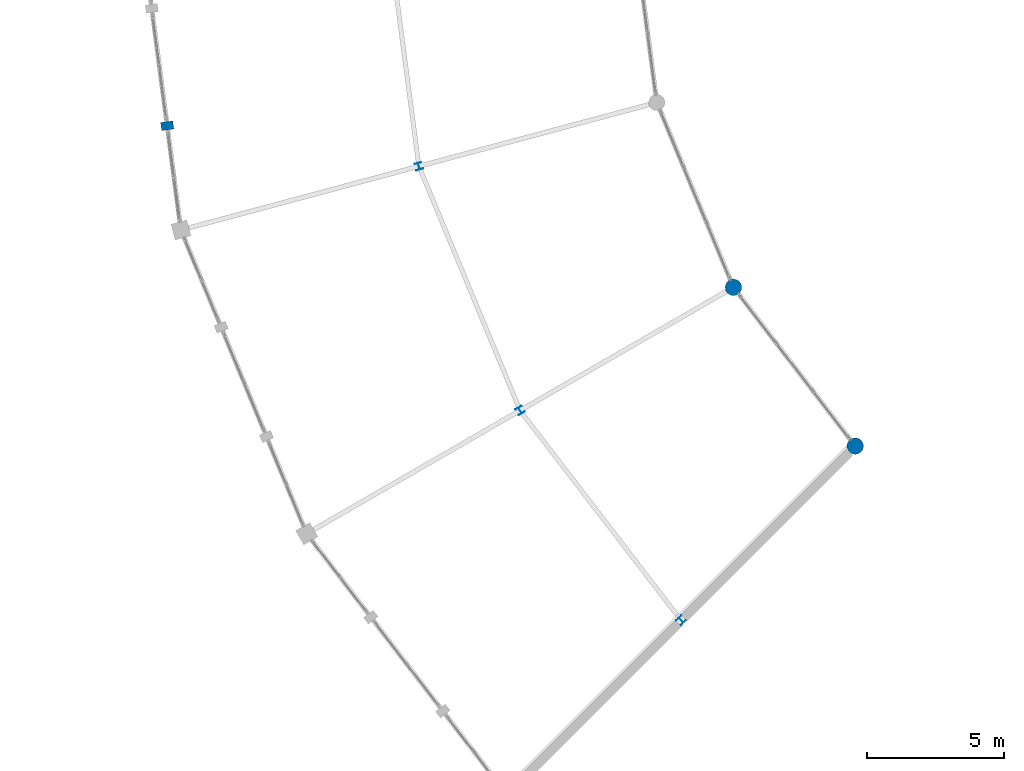
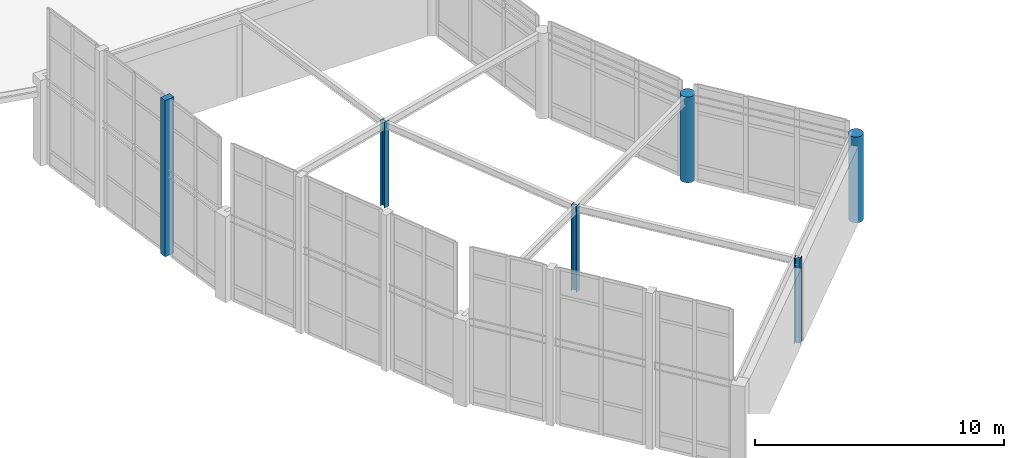
# One storey, part 2 of 93: 6 columns.
"""IFC4 building model written with IfcOpenShell, lengths in metres."""

import ifcopenshell
import ifcopenshell.guid

model = None  # the IFC model being written
_history = None  # IfcOwnerHistory: only IFC2X3 demands one
_inside = {}  # id of a spatial element -> (the spatial element, [elements in it])
_under = {}  # id of a project, library or spatial element -> (it, [spatial elements below it])
_declared = {}  # id of a project -> (the project, [libraries it declares])
_typed = {}  # id of a type object -> (the type object, [elements of that type])
_made_of = {}  # id of a material, layer set ... -> (it, [elements and type objects made of it])


def new_model(schema):
    """Start an empty IFC model of exactly this schema.

    Asked for "IFC4X3", IfcOpenShell would pick the latest addendum, in which some entities
    have other attributes; the version numbers below select the first issue.
    IFC2X3 requires an IfcOwnerHistory on every rooted entity: one is made here for all.
    """
    global model, _history
    if schema == "IFC4X3":
        model = ifcopenshell.file(schema_version=(4, 3, 0, 0))
    else:
        model = ifcopenshell.file(schema=schema)
    _inside.clear()
    _under.clear()
    _declared.clear()
    _typed.clear()
    _made_of.clear()
    _history = None
    if model.schema == "IFC2X3":
        org = make("IfcOrganization", Name="unknown")
        user = make(
            "IfcPersonAndOrganization",
            ThePerson=make("IfcPerson", FamilyName="unknown"),
            TheOrganization=org,
        )
        app = make(
            "IfcApplication",
            ApplicationDeveloper=org,
            Version="unknown",
            ApplicationFullName="unknown",
            ApplicationIdentifier="unknown",
        )
        _history = make(
            "IfcOwnerHistory",
            OwningUser=user,
            OwningApplication=app,
            ChangeAction="ADDED",
            CreationDate=0,
        )
    return model


def make(cls, **values):
    """One entity of the class cls with the attributes given. An attribute that is None is left unset."""
    return model.create_entity(
        cls, **{name: value for name, value in values.items() if value is not None}
    )


def rooted(cls, **values):
    """An entity with a GlobalId (a new one), such as an element, a storey or a relation."""
    return make(cls, GlobalId=ifcopenshell.guid.new(), OwnerHistory=_history, **values)


def si_unit(unit_type, name, prefix=None):
    """IfcSIUnit, for example si_unit("LENGTHUNIT", "METRE", prefix="MILLI")."""
    return make("IfcSIUnit", UnitType=unit_type, Prefix=prefix, Name=name)


def assignment(units):
    """IfcUnitAssignment: the units of a project."""
    return None if units is None else make("IfcUnitAssignment", Units=units)


def point(xyz):
    """IfcCartesianPoint."""
    return None if xyz is None else make("IfcCartesianPoint", Coordinates=xyz)


def direction(xyz):
    """IfcDirection."""
    return None if xyz is None else make("IfcDirection", DirectionRatios=xyz)


def frame(location, z_axis=None, x_axis=None):
    """IfcAxis2Placement3D, a coordinate frame: its origin and axes. An axis left out is left unset."""
    return make(
        "IfcAxis2Placement3D",
        Location=point(location),
        Axis=direction(z_axis),
        RefDirection=direction(x_axis),
    )


def frame_2d(location, x_axis=None):
    """IfcAxis2Placement2D, a coordinate frame in the plane: its origin and x axis."""
    return make(
        "IfcAxis2Placement2D", Location=point(location), RefDirection=direction(x_axis)
    )


def origin():
    """The frame at (0, 0, 0) with its axes left unset."""
    return frame((0.0, 0.0, 0.0))


def origin_2d():
    """The frame at (0, 0) in the plane with its x axis left unset."""
    return frame_2d((0.0, 0.0))


def place(relative_to, where):
    """IfcLocalPlacement: puts the frame where relative to a parent placement (None: the world)."""
    return make(
        "IfcLocalPlacement", PlacementRelTo=relative_to, RelativePlacement=where
    )


def context(
    kind, dimensions, precision=None, world=None, true_north=None, identifier=None
):
    """IfcGeometricRepresentationContext, for example the 3D "Model" context."""
    return make(
        "IfcGeometricRepresentationContext",
        ContextIdentifier=identifier,
        ContextType=kind,
        CoordinateSpaceDimension=dimensions,
        Precision=precision,
        WorldCoordinateSystem=world,
        TrueNorth=true_north,
    )


def subcontext(parent, identifier, kind, view, scale=None):
    """IfcGeometricRepresentationSubContext, for example "Body" below "Model"."""
    return make(
        "IfcGeometricRepresentationSubContext",
        ContextIdentifier=identifier,
        ContextType=kind,
        ParentContext=parent,
        TargetScale=scale,
        TargetView=view,
    )


def project(units=None, contexts=None):
    """IfcProject with its units and contexts."""
    return rooted(
        "IfcProject",
        Name="project",
        RepresentationContexts=contexts,
        UnitsInContext=assignment(units),
    )


def spatial(cls, under=None, at=None, **own):
    """A site, building, storey or space (cls), placed at a placement, below another one or the project."""
    s = rooted(cls, ObjectPlacement=at, **own)
    if under is not None:
        _under.setdefault(under.id(), (under, []))[1].append(s)
    return s


def profile(cls, at=None, kind="AREA", **sizes):
    """A parametric profile (cls). Its sizes go by their IFC names, for example OverallWidth=200.0."""
    return make(cls, ProfileType=kind, Position=at, **sizes)


def rectangle(**sizes):
    """IfcRectangleProfileDef."""
    return profile("IfcRectangleProfileDef", **sizes)


def circle(**sizes):
    """IfcCircleProfileDef."""
    return profile("IfcCircleProfileDef", **sizes)


def i_section(**sizes):
    """IfcIShapeProfileDef."""
    return profile("IfcIShapeProfileDef", **sizes)


def extrude(swept, where, along, depth):
    """IfcExtrudedAreaSolid: the profile swept, set in the frame where, extruded along a direction by depth."""
    return make(
        "IfcExtrudedAreaSolid",
        SweptArea=swept,
        Position=where,
        ExtrudedDirection=direction(along),
        Depth=depth,
    )


def shape(context_of_items, identifier, shape_type, items):
    """IfcShapeRepresentation: the items that make up one representation, for example the "Body"."""
    return make(
        "IfcShapeRepresentation",
        ContextOfItems=context_of_items,
        RepresentationIdentifier=identifier,
        RepresentationType=shape_type,
        Items=items,
    )


def material(Name=None, Category=None):
    """IfcMaterial."""
    return make("IfcMaterial", Name=Name, Category=Category)


def material_profile(
    of_material, cross_section, Name=None, Category=None, Priority=None
):
    """IfcMaterialProfile: a cross section and its material."""
    return make(
        "IfcMaterialProfile",
        Name=Name,
        Material=of_material,
        Profile=cross_section,
        Priority=Priority,
        Category=Category,
    )


def profile_set(profiles, Name=None, composite=None):
    """IfcMaterialProfileSet."""
    return make(
        "IfcMaterialProfileSet",
        Name=Name,
        MaterialProfiles=profiles,
        CompositeProfile=composite,
    )


def made_of(thing, what):
    """Note that an element or type object is made of a material, layer set ...; save() writes the relation."""
    if what is not None:
        _made_of.setdefault(what.id(), (what, []))[1].append(thing)
    return thing


def type_object(cls, material=None, **own):
    """A type object (cls), such as IfcWallType, which elements share."""
    return made_of(rooted(cls, **own), material)


def element(
    cls,
    number,
    at=None,
    inside=None,
    cuts=None,
    type_object=None,
    material=None,
    context=None,
    identifier="Body",
    shape_type=None,
    held_by="IfcProductDefinitionShape",
    body=None,
    shapes=None,
    **own,
):
    """One element of the class cls, such as IfcWall. Its Tag is "e" and its number.

    at: its placement. inside: the storey or other place that contains it. cuts: it is an
    opening in that element (IfcRelVoidsElement). A single representation is given by context,
    identifier, shape_type and body (its items); several are given by shapes. held_by: the class
    of the entity that holds the representations. save() writes the other relations.
    """
    e = rooted(cls, Tag="e%d" % number, ObjectPlacement=at, **own)
    if body is not None:
        shapes = [shape(context, identifier, shape_type, body)]
    if shapes is not None:
        e.Representation = make(held_by, Representations=shapes)
    if inside is not None:
        _inside.setdefault(inside.id(), (inside, []))[1].append(e)
    if cuts is not None:
        rooted(
            "IfcRelVoidsElement", RelatingBuildingElement=cuts, RelatedOpeningElement=e
        )
    if type_object is not None:
        _typed.setdefault(type_object.id(), (type_object, []))[1].append(e)
    return made_of(e, material)


def aggregate(whole, parts):
    """IfcRelAggregates: a whole, such as a stair, and the parts it consists of."""
    return rooted("IfcRelAggregates", RelatingObject=whole, RelatedObjects=parts)


def save(model, path):
    """Write the relations noted so far, then the file.

    IfcRelAggregates (storeys below a building ...), IfcRelContainedInSpatialStructure (elements
    in a storey), IfcRelDefinesByType, IfcRelAssociatesMaterial and IfcRelDeclares: one each for
    every whole, place, type object, material and project.
    """
    for whole, parts in _under.values():
        aggregate(whole, parts)
    for where, things in _inside.values():
        rooted(
            "IfcRelContainedInSpatialStructure",
            RelatedElements=things,
            RelatingStructure=where,
        )
    for kind, things in _typed.values():
        rooted("IfcRelDefinesByType", RelatedObjects=things, RelatingType=kind)
    for what, things in _made_of.values():
        rooted("IfcRelAssociatesMaterial", RelatedObjects=things, RelatingMaterial=what)
    for by, libraries in _declared.values():
        rooted("IfcRelDeclares", RelatingContext=by, RelatedDefinitions=libraries)
    model.write(path)


model = new_model("IFC4")

# Units and contexts
model_context = context("Model", 3, precision=1e-05, world=origin(), true_north=direction((0.0, 1.0)))
body_context = subcontext(model_context, "Body", "Model", "MODEL_VIEW")
ifc_project = project(units=[si_unit("LENGTHUNIT", "METRE"), si_unit("AREAUNIT", "SQUARE_METRE"), si_unit("VOLUMEUNIT", "CUBIC_METRE"), si_unit("PLANEANGLEUNIT", "RADIAN"), si_unit("MASSUNIT", "GRAM", prefix="KILO")], contexts=[model_context])

# Site, building, storey
site_placement = place(None, origin())
site = spatial("IfcSite", under=ifc_project, at=site_placement, CompositionType="ELEMENT")
building_placement = place(site_placement, origin())
building = spatial("IfcBuilding", under=site, at=building_placement, Name="Vondelvale Polytechnic", CompositionType="ELEMENT")
storey_placement = place(building_placement, frame((0.0, 0.0, 18.0)))
storey = spatial("IfcBuildingStorey", under=building, at=storey_placement, Name="L04", CompositionType="ELEMENT", Elevation=18.0)

# Columns
ifc_material_1 = material(Name="Glulam GL18 structural Tasmanian oak (fb = 42 MPa)", Category="wood")
ifc_material_profile_1 = material_profile(ifc_material_1, rectangle(XDim=0.300048828125, YDim=0.449951171875, at=origin_2d()), Name="GL-POST-300x450")
ifc_profile_set_1 = profile_set([ifc_material_profile_1], Name="Glulam GL18 structural Tasmanian oak (fb = 42 MPa)")
column_type_1 = type_object("IfcColumnType", Name="COL-GLULAM-300x450", PredefinedType="PILASTER", material=ifc_profile_set_1)
column_placement = place(storey_placement, frame((57.06591796875, 63.904052734375, 0.0), z_axis=(0.0, 0.0, 1.0), x_axis=(-0.13052619222, 0.991444861374, 0.0)))
element("IfcColumn", 1, at=column_placement, inside=storey, type_object=column_type_1, Name="L04 ring outer glulam timber post C12-P2", PredefinedType="PILASTER", context=body_context, shape_type="SweptSolid", body=[
    extrude(rectangle(XDim=0.300048828125, YDim=0.449951171875, at=origin_2d()), origin(), (0.0, 0.0, 1.0), 7.6513671875),
])
ifc_material_2 = material(Name="Concrete N50 (f'c = 50 MPa)", Category="concrete")
ifc_material_profile_2 = material_profile(ifc_material_2, circle(Radius=0.300048828125, at=origin_2d()), Name="RC-COL-D600")
ifc_profile_set_2 = profile_set([ifc_material_profile_2], Name="Concrete N50 (f'c = 50 MPa)")
column_type_2 = type_object("IfcColumnType", Name="COL-RCD600", PredefinedType="COLUMN", material=ifc_profile_set_2)
for number, where, z_axis, x_axis, name in (
    (2, (77.751220703125, 58.0, 0.0), (0.0, 0.0, 1.0), (0.866025403784, 0.5, 0.0), "L04 courtyard ring column S14-RI"),
    (3, (82.200927734375, 52.200927734375, 0.0), (0.0, 0.0, 1.0), (0.707106781187, 0.707106781187, 0.0), "L04 courtyard ring column S15-RI"),
):
    element("IfcColumn", number, at=place(storey_placement, frame(where, z_axis=z_axis, x_axis=x_axis)), inside=storey, type_object=column_type_2, Name=name, PredefinedType="COLUMN", context=body_context, shape_type="SweptSolid", body=[
        extrude(circle(Radius=0.300048828125, at=origin_2d()), origin(), (0.0, 0.0, 1.0), 4.199951171875),
    ])
ifc_material_3 = material(Name="Steel 300PLUS (fy = 300 MPa)", Category="steel")
ifc_material_profile_3 = material_profile(ifc_material_3, i_section(OverallWidth=0.25390625, OverallDepth=0.25390625, WebThickness=0.008544921875, FlangeThickness=0.01416015625, FilletRadius=0.013916015625, at=origin_2d()), Name="250UC72.9")
ifc_profile_set_3 = profile_set([ifc_material_profile_3], Name="Steel 300PLUS (fy = 300 MPa)")
column_type_3 = type_object("IfcColumnType", Name="COL-UC250L", PredefinedType="COLUMN", material=ifc_profile_set_3)
for number, where, z_axis, x_axis, name in (
    (4, (66.2607421875, 62.423583984375, 0.0), (0.0, 0.0, 1.0), (0.965925826289, 0.258819045103, 0.0), "L04 courtyard ring column S13-RM"),
    (5, (69.95703125, 53.5, 0.0), (0.0, 0.0, 1.0), (0.866025403784, 0.5, 0.0), "L04 courtyard ring column S14-RM"),
    (6, (75.8369140625, 45.8369140625, 0.0), (0.0, 0.0, 1.0), (0.707106781187, 0.707106781187, 0.0), "L04 courtyard ring column S15-RM"),
):
    element("IfcColumn", number, at=place(storey_placement, frame(where, z_axis=z_axis, x_axis=x_axis)), inside=storey, type_object=column_type_3, Name=name, PredefinedType="COLUMN", context=body_context, shape_type="SweptSolid", body=[
        extrude(i_section(OverallWidth=0.25390625, OverallDepth=0.25390625, WebThickness=0.008544921875, FlangeThickness=0.01416015625, FilletRadius=0.013916015625, at=origin_2d()), origin(), (0.0, 0.0, 1.0), 4.199951171875),
    ])

save(model, "model.ifc")
